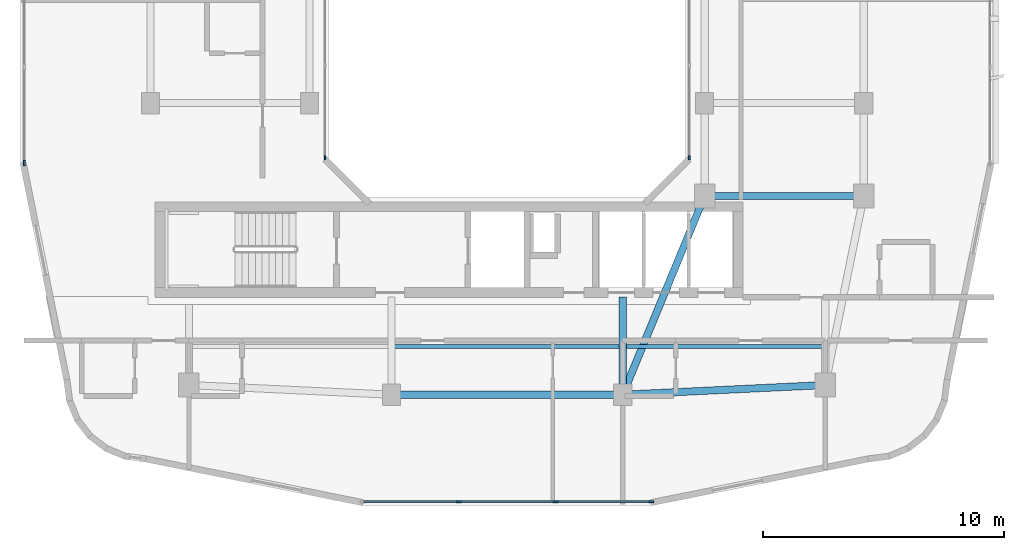
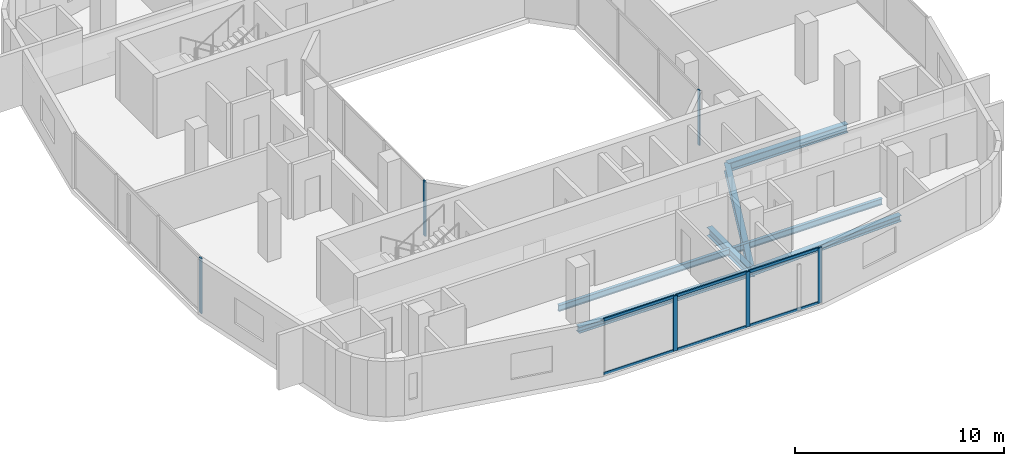
# One storey, part 2 of 14: 12 members, 7 beams, 4 elements without a shape of their own.
"""IFC4 building model written with IfcOpenShell, lengths in metres."""

from ifc_helpers import new_model, si_unit, derived_unit, direction, frame, origin, origin_2d, place, context, subcontext, project, spatial, rectangle, i_section, extrude, material, layer, layer_set, material_profile, profile_set, type_object, element, aggregate, save


model = new_model("IFC4")

# Units and contexts
model_context = context("Model", 3, precision=1e-05, world=origin(), true_north=direction((0.0, 1.0)))
body_context = subcontext(model_context, "Body", "Model", "MODEL_VIEW")
ifc_project = project(units=[si_unit("LENGTHUNIT", "METRE"), si_unit("AREAUNIT", "SQUARE_METRE"), si_unit("VOLUMEUNIT", "CUBIC_METRE"), si_unit("PLANEANGLEUNIT", "RADIAN"), si_unit("MASSUNIT", "GRAM", prefix="KILO"), derived_unit("THERMALTRANSMITTANCEUNIT", [(si_unit("POWERUNIT", "WATT"), 1), (si_unit("LENGTHUNIT", "METRE"), -2), (si_unit("THERMODYNAMICTEMPERATUREUNIT", "KELVIN"), -1)])], contexts=[model_context])

# Site, building, storey
site_placement = place(None, origin())
site = spatial("IfcSite", under=ifc_project, at=site_placement, CompositionType="ELEMENT")
building_placement = place(site_placement, origin())
building = spatial("IfcBuilding", under=site, at=building_placement, Name="Kivonza Crest Hotel", CompositionType="ELEMENT")
storey_placement = place(building_placement, frame((0.0, 0.0, 138.0)))
storey = spatial("IfcBuildingStorey", under=building, at=storey_placement, Name="L37", CompositionType="ELEMENT", Elevation=138.0)

# Beams
ifc_material_1 = material(Name="Steel S355", Category="steel")
ifc_material_profile_1 = material_profile(ifc_material_1, i_section(OverallWidth=0.300048828125, OverallDepth=0.360107421875, WebThickness=0.012451171875, FlangeThickness=0.0224609375, FilletRadius=0.027099609375, at=origin_2d()), Name="HEB 360")
ifc_profile_set_1 = profile_set([ifc_material_profile_1], Name="Steel S355")
beam_type_1 = type_object("IfcBeamType", Name="BM-HEB360", PredefinedType="SPANDREL", material=ifc_profile_set_1)
beam_1_placement = place(storey_placement, frame((16.199951171875, 9.39990234375, -0.4599609375), z_axis=(1.0, 0.0, 0.0), x_axis=(0.0, 1.0, 0.0)))
element("IfcBeam", 1, at=beam_1_placement, inside=storey, type_object=beam_type_1, Name="Tower T1 L37 perimeter spandrel S1-S2", PredefinedType="SPANDREL", context=body_context, shape_type="SweptSolid", body=[
    extrude(i_section(OverallWidth=0.300048828125, OverallDepth=0.360107421875, WebThickness=0.012451171875, FlangeThickness=0.0224609375, FilletRadius=0.027099609375, at=origin_2d()), origin(), (0.0, 0.0, 1.0), 9.60009765625),
])
beam_2_placement = place(storey_placement, frame((25.800048828125, 9.39990234375, -0.4599609375), z_axis=(0.998867283688, 0.047583080799, 0.0), x_axis=(-0.047583080799, 0.998867283688, 0.0)))
element("IfcBeam", 2, at=beam_2_placement, inside=storey, type_object=beam_type_1, Name="Tower T1 L37 perimeter spandrel S2-SE", PredefinedType="SPANDREL", context=body_context, shape_type="SweptSolid", body=[
    extrude(i_section(OverallWidth=0.300048828125, OverallDepth=0.360107421875, WebThickness=0.012451171875, FlangeThickness=0.0224609375, FilletRadius=0.027099609375, at=origin_2d()), origin(), (0.0, 0.0, 1.0), 8.409423828125),
])
ifc_material_profile_2 = material_profile(ifc_material_1, i_section(OverallWidth=0.300048828125, OverallDepth=0.5, WebThickness=0.014404296875, FlangeThickness=0.028076171875, FilletRadius=0.027099609375, at=origin_2d()), Name="HEB 500")
ifc_profile_set_2 = profile_set([ifc_material_profile_2], Name="Steel S355")
beam_type_2 = type_object("IfcBeamType", Name="BM-HEB500", PredefinedType="BEAM", material=ifc_profile_set_2)
beam_3_placement = place(storey_placement, frame((25.800048828125, 9.39990234375, -0.530029296875), z_axis=(0.381022260404, 0.924565864109, 0.0), x_axis=(-0.924565864109, 0.381022260404, 0.0)))
element("IfcBeam", 3, at=beam_3_placement, inside=storey, type_object=beam_type_2, Name="Tower T1 L37 primary girder S1-TSE", PredefinedType="BEAM", context=body_context, shape_type="SweptSolid", body=[
    extrude(i_section(OverallWidth=0.300048828125, OverallDepth=0.5, WebThickness=0.014404296875, FlangeThickness=0.028076171875, FilletRadius=0.027099609375, at=origin_2d()), origin(), (0.0, 0.0, 1.0), 8.923095703125),
])
beam_4_placement = place(storey_placement, frame((29.199951171875, 17.64990234375, -0.530029296875), z_axis=(1.0, 0.0, 0.0), x_axis=(0.0, 1.0, 0.0)))
element("IfcBeam", 4, at=beam_4_placement, inside=storey, type_object=beam_type_2, Name="Tower T1 L37 primary girder TSE-PSE", PredefinedType="BEAM", context=body_context, shape_type="SweptSolid", body=[
    extrude(i_section(OverallWidth=0.300048828125, OverallDepth=0.5, WebThickness=0.014404296875, FlangeThickness=0.028076171875, FilletRadius=0.027099609375, at=origin_2d()), origin(), (0.0, 0.0, 1.0), 6.60009765625),
])
beam_5_placement = place(storey_placement, frame((25.800048828125, 9.39990234375, -0.530029296875), z_axis=(0.0, 1.0, 0.0), x_axis=(-1.0, 0.0, 0.0)))
element("IfcBeam", 5, at=beam_5_placement, inside=storey, type_object=beam_type_2, Name="Tower T1 L37 radial core girder RS2", PredefinedType="BEAM", context=body_context, shape_type="SweptSolid", body=[
    extrude(i_section(OverallWidth=0.300048828125, OverallDepth=0.5, WebThickness=0.014404296875, FlangeThickness=0.028076171875, FilletRadius=0.027099609375, at=origin_2d()), origin(), (0.0, 0.0, 1.0), 4.050048828125),
])
ifc_material_profile_3 = material_profile(ifc_material_1, i_section(OverallWidth=0.169921875, OverallDepth=0.360107421875, WebThickness=0.008056640625, FlangeThickness=0.0126953125, FilletRadius=0.01806640625, at=origin_2d()), Name="IPE 360")
ifc_profile_set_3 = profile_set([ifc_material_profile_3], Name="Steel S355")
beam_type_3 = type_object("IfcBeamType", Name="BM-IPE360", PredefinedType="JOIST", material=ifc_profile_set_3)
beam_6_placement = place(storey_placement, frame((16.280029296875, 11.39990234375, -0.4599609375), z_axis=(1.0, 0.0, 0.0), x_axis=(0.0, 1.0, 0.0)))
element("IfcBeam", 6, at=beam_6_placement, inside=storey, type_object=beam_type_3, Name="Tower T1 L37 South-Mid floor joist", PredefinedType="JOIST", context=body_context, shape_type="SweptSolid", body=[
    extrude(i_section(OverallWidth=0.169921875, OverallDepth=0.360107421875, WebThickness=0.008056640625, FlangeThickness=0.0126953125, FilletRadius=0.01806640625, at=origin_2d()), origin(), (0.0, 0.0, 1.0), 9.43994140625),
])
beam_7_placement = place(storey_placement, frame((25.8798828125, 11.39990234375, -0.4599609375), z_axis=(1.0, 0.0, 0.0), x_axis=(0.0, 1.0, 0.0)))
element("IfcBeam", 7, at=beam_7_placement, inside=storey, type_object=beam_type_3, Name="Tower T1 L37 South-East floor joist", PredefinedType="JOIST", context=body_context, shape_type="SweptSolid", body=[
    extrude(i_section(OverallWidth=0.169921875, OverallDepth=0.360107421875, WebThickness=0.008056640625, FlangeThickness=0.0126953125, FilletRadius=0.01806640625, at=origin_2d()), origin(), (0.0, 0.0, 1.0), 8.240234375),
])

# Curtain wall, member
ifc_material_2 = material(Name="Anodised bronze aluminium and low-E double glazing", Category="aluminium")
ifc_layer_1 = layer(ifc_material_2, 0.159912109375)
ifc_layer_set_1 = layer_set([ifc_layer_1], Name="Anodised bronze aluminium and low-E double glazing")
curtain_wall_type_1 = type_object("IfcCurtainWallType", Name="CW-SYS-5", PredefinedType="NOTDEFINED", material=ifc_layer_set_1)
curtain_wall_1_placement = place(storey_placement, origin())
curtain_wall_1 = element("IfcCurtainWall", 8, at=curtain_wall_1_placement, inside=storey, type_object=curtain_wall_type_1, Name="L37 unitised curtain wall CW-WELL-T1-L37-3", PredefinedType="NOTDEFINED")
ifc_material_3 = material(Name="Anodised bronze aluminium", Category="aluminium")
ifc_material_profile_4 = material_profile(ifc_material_3, rectangle(XDim=0.06494140625, YDim=0.179931640625, at=origin_2d()), Name="CW-M 65x180")
ifc_profile_set_4 = profile_set([ifc_material_profile_4], Name="Anodised bronze aluminium")
member_type_1 = type_object("IfcMemberType", Name="CW-MUL-65x180", PredefinedType="MULLION", material=ifc_profile_set_4)
member_1_placement = place(storey_placement, frame((28.56005859375, 19.232421875, 0.0), z_axis=(0.0, 0.0, 1.0), x_axis=(-1.0, 0.0, 0.0)))
member_1 = element("IfcMember", 9, at=member_1_placement, type_object=member_type_1, Name="CW-5 mullion 1", PredefinedType="MULLION", context=body_context, shape_type="SweptSolid", body=[
    extrude(rectangle(XDim=0.06494140625, YDim=0.179931640625, at=origin_2d()), origin(), (0.0, 0.0, 1.0), 3.219970703125),
])
aggregate(curtain_wall_1, [member_1])

curtain_wall_2_placement = place(storey_placement, origin())
curtain_wall_2 = element("IfcCurtainWall", 10, at=curtain_wall_2_placement, inside=storey, type_object=curtain_wall_type_1, Name="L37 unitised curtain wall CW-WELL-T1-L37-7", PredefinedType="NOTDEFINED")
member_2_placement = place(storey_placement, frame((13.43994140625, 19.232421875, 0.0), z_axis=(0.0, 0.0, 1.0), x_axis=(1.0, 0.0, 0.0)))
member_2 = element("IfcMember", 11, at=member_2_placement, type_object=member_type_1, Name="CW-5 mullion 4", PredefinedType="MULLION", context=body_context, shape_type="SweptSolid", body=[
    extrude(rectangle(XDim=0.06494140625, YDim=0.179931640625, at=origin_2d()), origin(), (0.0, 0.0, 1.0), 3.219970703125),
])
aggregate(curtain_wall_2, [member_2])

# Curtain wall, members
ifc_layer_2 = layer(ifc_material_2, 0.179931640625)
ifc_layer_set_2 = layer_set([ifc_layer_2], Name="Anodised bronze aluminium and low-E double glazing")
curtain_wall_type_2 = type_object("IfcCurtainWallType", Name="CW-SYS-3", PredefinedType="NOTDEFINED", material=ifc_layer_set_2)
curtain_wall_3_placement = place(storey_placement, origin())
curtain_wall_3 = element("IfcCurtainWall", 12, at=curtain_wall_3_placement, inside=storey, type_object=curtain_wall_type_2, Name="L37 unitised curtain wall CW-T1-L37-08", PredefinedType="NOTDEFINED")
ifc_material_profile_5 = material_profile(ifc_material_3, rectangle(XDim=0.074951171875, YDim=0.219970703125, at=origin_2d()), Name="CW-M 75x220")
ifc_profile_set_5 = profile_set([ifc_material_profile_5], Name="Anodised bronze aluminium")
member_type_2 = type_object("IfcMemberType", Name="CW-MUL-75x220", PredefinedType="MULLION", material=ifc_profile_set_5)
member_3_placement = place(storey_placement, frame((18.993408203125, 4.9599609375, 0.0), z_axis=(0.0, 0.0, 1.0), x_axis=(0.0, 1.0, 0.0)))
member_3 = element("IfcMember", 13, at=member_3_placement, type_object=member_type_2, Name="CW-3 mullion 2", PredefinedType="MULLION", context=body_context, shape_type="SweptSolid", body=[
    extrude(rectangle(XDim=0.074951171875, YDim=0.219970703125, at=origin_2d()), origin(), (0.0, 0.0, 1.0), 3.219970703125),
])
member_4_placement = place(storey_placement, frame((23.006591796875, 4.9599609375, 0.0), z_axis=(0.0, 0.0, 1.0), x_axis=(0.0, 1.0, 0.0)))
member_4 = element("IfcMember", 14, at=member_4_placement, type_object=member_type_2, Name="CW-3 mullion 3", PredefinedType="MULLION", context=body_context, shape_type="SweptSolid", body=[
    extrude(rectangle(XDim=0.074951171875, YDim=0.219970703125, at=origin_2d()), origin(), (0.0, 0.0, 1.0), 3.219970703125),
])
member_5_placement = place(storey_placement, frame((26.982421875, 4.9599609375, 0.0), z_axis=(0.0, 0.0, 1.0), x_axis=(0.0, 1.0, 0.0)))
member_5 = element("IfcMember", 15, at=member_5_placement, type_object=member_type_2, Name="CW-3 mullion 4", PredefinedType="MULLION", context=body_context, shape_type="SweptSolid", body=[
    extrude(rectangle(XDim=0.074951171875, YDim=0.219970703125, at=origin_2d()), origin(), (0.0, 0.0, 1.0), 3.219970703125),
])

# Curtain wall, member
curtain_wall_4_placement = place(storey_placement, origin())
curtain_wall_4 = element("IfcCurtainWall", 16, at=curtain_wall_4_placement, inside=storey, type_object=curtain_wall_type_2, Name="L37 unitised curtain wall CW-T1-L37-35", PredefinedType="NOTDEFINED")
member_6_placement = place(storey_placement, frame((0.9599609375, 19.017578125, 0.0), z_axis=(0.0, 0.0, 1.0), x_axis=(1.0, 0.0, 0.0)))
member_6 = element("IfcMember", 17, at=member_6_placement, type_object=member_type_2, Name="CW-3 mullion 4", PredefinedType="MULLION", context=body_context, shape_type="SweptSolid", body=[
    extrude(rectangle(XDim=0.074951171875, YDim=0.219970703125, at=origin_2d()), origin(), (0.0, 0.0, 1.0), 3.219970703125),
])
aggregate(curtain_wall_4, [member_6])

# Member
ifc_material_profile_6 = material_profile(ifc_material_3, rectangle(XDim=0.074951171875, YDim=0.159912109375, at=origin_2d()), Name="CW-T 75x160")
ifc_profile_set_6 = profile_set([ifc_material_profile_6], Name="Anodised bronze aluminium")
member_type_3 = type_object("IfcMemberType", Name="CW-TRN-75x160", PredefinedType="USERDEFINED", material=ifc_profile_set_6)
member_7_placement = place(storey_placement, frame((15.054931640625, 4.9599609375, 0.03759765625), z_axis=(1.0, 0.0, 0.0), x_axis=(0.0, 1.0, 0.0)))
member_7 = element("IfcMember", 18, at=member_7_placement, type_object=member_type_3, Name="CW-3 transom 1.1", ObjectType="TRANSOM", PredefinedType="USERDEFINED", context=body_context, shape_type="SweptSolid", body=[
    extrude(rectangle(XDim=0.074951171875, YDim=0.159912109375, at=origin_2d()), origin(), (0.0, 0.0, 1.0), 3.90087890625),
])

member_8_placement = place(storey_placement, frame((15.054931640625, 4.9599609375, 3.1826171875), z_axis=(1.0, 0.0, 0.0), x_axis=(0.0, 1.0, 0.0)))
member_8 = element("IfcMember", 19, at=member_8_placement, type_object=member_type_3, Name="CW-3 transom 1.2", ObjectType="TRANSOM", PredefinedType="USERDEFINED", context=body_context, shape_type="SweptSolid", body=[
    extrude(rectangle(XDim=0.074951171875, YDim=0.159912109375, at=origin_2d()), origin(), (0.0, 0.0, 1.0), 3.90087890625),
])

member_9_placement = place(storey_placement, frame((19.03076171875, 4.9599609375, 0.03759765625), z_axis=(1.0, 0.0, 0.0), x_axis=(0.0, 1.0, 0.0)))
member_9 = element("IfcMember", 20, at=member_9_placement, type_object=member_type_3, Name="CW-3 transom 2.1", ObjectType="TRANSOM", PredefinedType="USERDEFINED", context=body_context, shape_type="SweptSolid", body=[
    extrude(rectangle(XDim=0.074951171875, YDim=0.159912109375, at=origin_2d()), origin(), (0.0, 0.0, 1.0), 3.9384765625),
])

member_10_placement = place(storey_placement, frame((19.03076171875, 4.9599609375, 3.1826171875), z_axis=(1.0, 0.0, 0.0), x_axis=(0.0, 1.0, 0.0)))
member_10 = element("IfcMember", 21, at=member_10_placement, type_object=member_type_3, Name="CW-3 transom 2.2", ObjectType="TRANSOM", PredefinedType="USERDEFINED", context=body_context, shape_type="SweptSolid", body=[
    extrude(rectangle(XDim=0.074951171875, YDim=0.159912109375, at=origin_2d()), origin(), (0.0, 0.0, 1.0), 3.9384765625),
])

member_11_placement = place(storey_placement, frame((23.044189453125, 4.9599609375, 0.03759765625), z_axis=(1.0, 0.0, 0.0), x_axis=(0.0, 1.0, 0.0)))
member_11 = element("IfcMember", 22, at=member_11_placement, type_object=member_type_3, Name="CW-3 transom 3.1", ObjectType="TRANSOM", PredefinedType="USERDEFINED", context=body_context, shape_type="SweptSolid", body=[
    extrude(rectangle(XDim=0.074951171875, YDim=0.159912109375, at=origin_2d()), origin(), (0.0, 0.0, 1.0), 3.90087890625),
])

member_12_placement = place(storey_placement, frame((23.044189453125, 4.9599609375, 3.1826171875), z_axis=(1.0, 0.0, 0.0), x_axis=(0.0, 1.0, 0.0)))
member_12 = element("IfcMember", 23, at=member_12_placement, type_object=member_type_3, Name="CW-3 transom 3.2", ObjectType="TRANSOM", PredefinedType="USERDEFINED", context=body_context, shape_type="SweptSolid", body=[
    extrude(rectangle(XDim=0.074951171875, YDim=0.159912109375, at=origin_2d()), origin(), (0.0, 0.0, 1.0), 3.90087890625),
])

aggregate(curtain_wall_3, [member_3, member_4, member_5, member_7, member_8, member_9, member_10, member_11, member_12])

save(model, "model.ifc")
